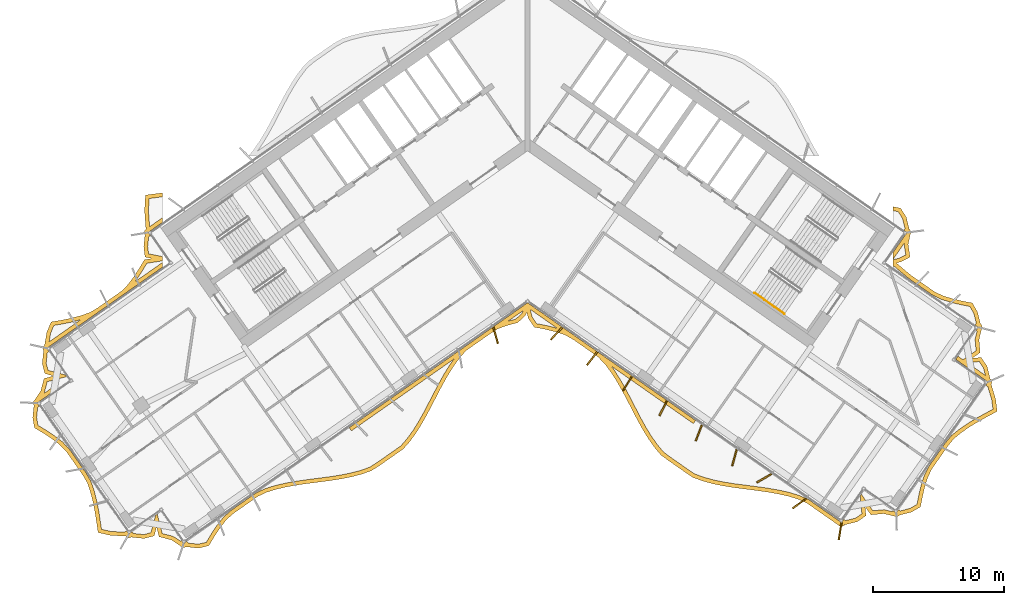
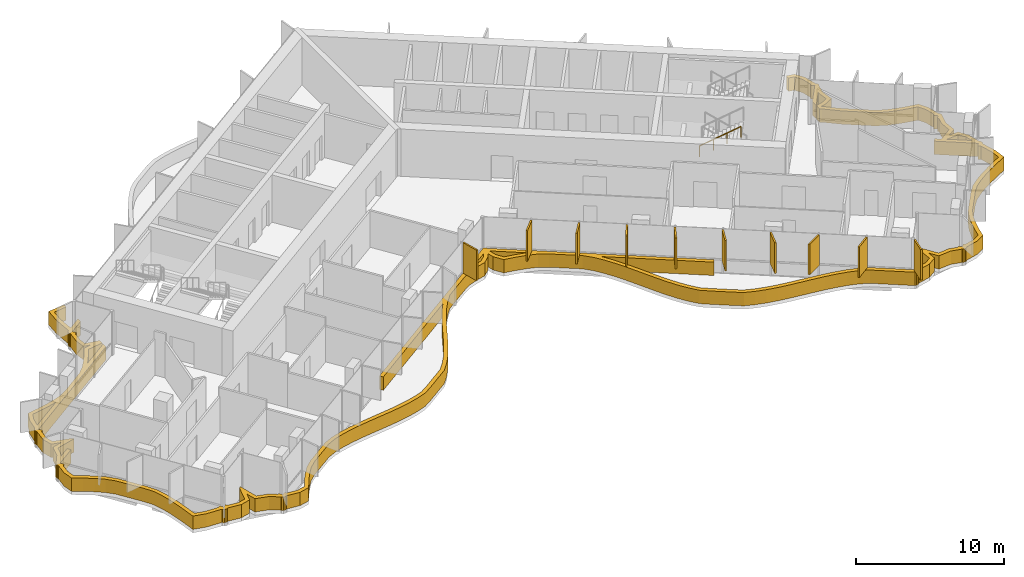
# One storey, part 21 of 23: 11 shading devices, 1 railing.
"""IFC4 building model written with IfcOpenShell, lengths in metres."""

from ifc_helpers import new_model, si_unit, direction, frame, origin, origin_2d, place, context, subcontext, project, spatial, polyline, rectangle, circle, outline, extrude, material, layer, layer_set, type_object, element, save


model = new_model("IFC4")

# Units and contexts
model_context = context("Model", 3, precision=1e-05, world=origin(), true_north=direction((0.0, 1.0)))
body_context = subcontext(model_context, "Body", "Model", "MODEL_VIEW")
ifc_project = project(units=[si_unit("LENGTHUNIT", "METRE"), si_unit("AREAUNIT", "SQUARE_METRE"), si_unit("VOLUMEUNIT", "CUBIC_METRE"), si_unit("PLANEANGLEUNIT", "RADIAN"), si_unit("MASSUNIT", "GRAM", prefix="KILO")], contexts=[model_context])

# Site, building, storey
site_placement = place(None, origin())
site = spatial("IfcSite", under=ifc_project, at=site_placement, CompositionType="ELEMENT")
building_placement = place(site_placement, origin())
building = spatial("IfcBuilding", under=site, at=building_placement, Name="Tel Ilan Convention Tower", CompositionType="ELEMENT")
storey_placement = place(building_placement, frame((0.0, 0.0, 194.39990234375)))
storey = spatial("IfcBuildingStorey", under=building, at=storey_placement, Name="L45", CompositionType="ELEMENT", Elevation=194.39990234375)

# Shading devices
ifc_material_1 = material(Name="Aluminium, bronze anodised", Category="aluminium")
ifc_layer_1 = layer(ifc_material_1, 0.1201171875)
ifc_layer_set_1 = layer_set([ifc_layer_1], Name="FIN BRONZE 1300x120")
shading_device_type_1 = type_object("IfcShadingDeviceType", Name="FIN BRONZE 1300x120", PredefinedType="USERDEFINED", material=ifc_layer_set_1)
for number, where, z_axis, x_axis, name in (
    (1, (-2.439697265625, -15.298583984375, 1.10009765625), (0.0, 0.0, 1.0), (0.268172612768, -0.963370878614, 0.0), "FIN"),
    (2, (2.211181640625, -15.16162109375, 1.10009765625), (0.0, 0.0, 1.0), (-0.686241637865, -0.727373641577, 0.0), "FIN"),
    (3, (4.924560546875, -17.061767578125, 1.10009765625), (0.0, 0.0, 1.0), (-0.612600545196, -0.790392669516, 0.0), "FIN"),
    (4, (7.63818359375, -18.9619140625, 1.10009765625), (0.0, 0.0, 1.0), (-0.533204432798, -0.845986425922, 0.0), "FIN"),
    (5, (10.351806640625, -20.861572265625, 1.10009765625), (0.0, 0.0, 1.0), (-0.448799180206, -0.893632640321, 0.0), "FIN"),
    (6, (13.068115234375, -22.755859375, 1.10009765625), (0.0, 0.0, 1.0), (-0.360177724803, -0.932883704733, 0.0), "FIN"),
    (7, (15.786865234375, -24.644287109375, 1.10009765625), (0.0, 0.0, 1.0), (-0.268172612768, -0.963370878614, 0.0), "FIN"),
    (8, (18.05712890625, -26.21142578125, 1.10009765625), (0.0, 0.0, 1.0), (-0.866025403784, -0.5, 0.0), "FIN"),
    (9, (20.75634765625, -28.1240234375, 1.10009765625), (0.0, 0.0, 1.0), (-0.813552070258, -0.581492071294, 0.0), "FIN"),
    (10, (23.855224609375, -30.25439453125, 1.10009765625), (0.0, 0.0, 1.0), (-0.16409119891, -0.986445172547, 0.0), "FIN"),
):
    element("IfcShadingDevice", number, at=place(storey_placement, frame(where, z_axis=z_axis, x_axis=x_axis)), inside=storey, type_object=shading_device_type_1, Name=name, ObjectType="FIN", PredefinedType="USERDEFINED", context=body_context, shape_type="SweptSolid", body=[
        extrude(rectangle(XDim=1.300048828125, YDim=0.1201171875, at=origin_2d()), origin(), (0.0, 0.0, 1.0), 2.52001953125),
    ])
ifc_material_2 = material(Name="Aluminium, bronze anodised", Category="aluminium")
ifc_layer_2 = layer(ifc_material_2, 0.300048828125)
ifc_layer_set_2 = layer_set([ifc_layer_2], Name="LOUVRE BAND 300x1100")
shading_device_type_2 = type_object("IfcShadingDeviceType", Name="LOUVRE BAND 300x1100", PredefinedType="USERDEFINED", material=ifc_layer_set_2)
shading_device_placement = place(storey_placement, origin())
element("IfcShadingDevice", 11, at=shading_device_placement, inside=storey, type_object=shading_device_type_2, Name="LOUVRE BAND 35.01", ObjectType="LOUVRE", PredefinedType="USERDEFINED", context=body_context, shape_type="SweptSolid", body=[
    extrude(outline(polyline([(-37.76904296875, -21.58447265625), (-37.634765625, -22.36669921875), (-36.95703125, -22.768310546875), (-36.311767578125, -23.192626953125), (-35.712890625, -23.649169921875), (-35.203857421875, -24.1689453125), (-33.968994140625, -25.932373046875), (-33.60498046875, -26.5537109375), (-33.363525390625, -27.2607421875), (-33.17138671875, -28.002197265625), (-33.01904296875, -28.771728515625), (-32.89599609375, -29.5615234375), (-32.782958984375, -30.358642578125), (-31.836181640625, -30.571533203125), (-30.67138671875, -30.632080078125), (-30.642333984375, -30.67529296875), (-30.544921875, -30.740478515625), (-30.43017578125, -30.76318359375), (-30.3154296875, -30.740478515625), (-30.261474609375, -30.704345703125), (-29.26904296875, -30.81396484375), (-28.4951171875, -30.611572265625), (-28.31640625, -29.930908203125), (-28.12109375, -30.677734375), (-27.170166015625, -30.92724609375), (-26.497802734375, -31.3720703125), (-26.4931640625, -31.368896484375), (-26.464111328125, -31.412109375), (-26.366943359375, -31.47705078125), (-26.251953125, -31.5), (-26.13720703125, -31.47705078125), (-26.083251953125, -31.441162109375), (-25.097412109375, -31.54931640625), (-24.322021484375, -31.357421875), (-23.90576171875, -30.652587890625), (-23.4609375, -29.988525390625), (-22.980224609375, -29.375732421875), (-22.4169921875, -28.880859375), (-20.58544921875, -27.598388671875), (-19.900146484375, -27.277587890625), (-19.150634765625, -27.048583984375), (-18.36669921875, -26.86865234375), (-17.556396484375, -26.726806640625), (-16.728515625, -26.609619140625), (-15.0595703125, -26.39404296875), (-14.239013671875, -26.266845703125), (-13.4404296875, -26.10791015625), (-12.672119140625, -25.90576171875), (-11.941650390625, -25.649658203125), (-11.30908203125, -25.253662109375), (-9.4775390625, -23.97119140625), (-8.9716796875, -23.39404296875), (-8.509033203125, -22.75537109375), (-8.0791015625, -22.0703125), (-7.673583984375, -21.35009765625), (-6.508056640625, -19.1162109375), (-6.103271484375, -18.39501953125), (-5.67431640625, -17.708251953125), (-5.213134765625, -17.067626953125), (-4.7119140625, -16.483642578125), (-2.88037109375, -15.201416015625), (-2.25146484375, -14.800048828125), (-1.5224609375, -14.5419921875), (-0.755615234375, -14.337890625), (-0.200439453125, -13.831298828125), (-0.0556640625, -13.532958984375), (0.067626953125, -14.029296875), (0.522216796875, -14.687255859375), (1.33154296875, -14.8388671875), (2.112060546875, -15.03173828125), (2.855712890625, -15.277099609375), (3.513916015625, -15.644775390625), (5.356689453125, -16.935302734375), (5.888671875, -17.48291015625), (6.36083984375, -18.1162109375), (6.798583984375, -18.798583984375), (7.2099609375, -19.5185546875), (7.6044921875, -20.262451171875), (8.38330078125, -21.765380859375), (8.7880859375, -22.494873046875), (9.2158203125, -23.191162109375), (9.675537109375, -23.84228515625), (10.174072265625, -24.437744140625), (10.778564453125, -24.882080078125), (12.007080078125, -25.742431640625), (12.631103515625, -26.15869140625), (13.361083984375, -26.423828125), (14.1298828125, -26.63330078125), (14.930419921875, -26.79736328125), (15.75439453125, -26.92822265625), (17.432861328125, -27.14599609375), (18.26708984375, -27.26220703125), (19.084228515625, -27.402587890625), (19.875244140625, -27.580322265625), (20.632080078125, -27.80712890625), (21.3291015625, -28.119140625), (23.786376953125, -29.83984375), (23.78955078125, -29.8349609375), (23.843505859375, -29.87109375), (23.95849609375, -29.89404296875), (24.0732421875, -29.87109375), (24.170654296875, -29.80615234375), (24.199462890625, -29.7626953125), (25.16943359375, -29.5263671875), (25.82763671875, -29.071533203125), (25.7626953125, -28.370849609375), (26.201416015625, -29.005615234375), (27.1806640625, -28.9150390625), (27.964599609375, -29.10302734375), (27.9677734375, -29.098388671875), (28.021728515625, -29.134521484375), (28.13671875, -29.1572265625), (28.25146484375, -29.134521484375), (28.3486328125, -29.0693359375), (28.377685546875, -29.026123046875), (29.301025390625, -28.79638671875), (29.989990234375, -28.40283203125), (30.135498046875, -27.628662109375), (30.3134765625, -26.877197265625), (30.537841796875, -26.158203125), (30.85205078125, -25.502197265625), (32.0869140625, -23.738525390625), (32.546142578125, -23.18408203125), (33.1279296875, -22.71533203125), (33.759033203125, -22.28125), (34.43017578125, -21.875), (35.13037109375, -21.489013671875), (35.840576171875, -21.1103515625), (35.717041015625, -20.147705078125), (35.375244140625, -19.032470703125), (35.411376953125, -18.978515625), (35.434326171875, -18.863525390625), (35.411376953125, -18.748779296875), (35.346435546875, -18.6513671875), (35.302978515625, -18.62255859375), (35.066650390625, -17.652587890625), (34.61181640625, -16.994384765625), (33.9111328125, -17.059326171875), (34.5458984375, -16.62060546875), (34.455322265625, -15.641357421875), (34.643310546875, -14.857421875), (34.638671875, -14.854248046875), (34.674560546875, -14.80029296875), (34.697509765625, -14.685546875), (34.674560546875, -14.570556640625), (34.609619140625, -14.473388671875), (34.56640625, -14.4443359375), (34.3369140625, -13.5224609375), (33.945068359375, -12.832763671875), (33.172119140625, -12.68701171875), (32.421630859375, -12.509521484375), (31.703369140625, -12.285888671875), (31.047119140625, -11.973388671875), (29.2861328125, -10.740234375), (28.730712890625, -10.28369140625), (28.18212890625, -9.817626953125), (28.123291015625, -9.789794921875), (28.491455078125, -9.6953125), (29.19384765625, -9.332763671875), (29.044921875, -8.373779296875), (29.20458984375, -7.631103515625), (29.199951171875, -7.6279296875), (29.236083984375, -7.57373046875), (29.2587890625, -7.458984375), (29.236083984375, -7.34423828125), (29.1708984375, -7.246826171875), (29.127685546875, -7.218017578125), (28.894287109375, -6.267333984375), (28.465576171875, -5.595458984375), (27.874755859375, -5.485595703125), (27.874755859375, -5.790771484375), (28.28271484375, -5.86669921875), (28.614990234375, -6.387451171875), (28.806640625, -7.1533203125), (28.713134765625, -7.286865234375), (28.958740234375, -7.458984375), (27.874755859375, -9.007080078125), (27.874755859375, -9.530029296875), (28.76171875, -8.263671875), (28.73974609375, -8.364990234375), (28.8642578125, -9.165283203125), (28.3837890625, -9.413330078125), (27.874755859375, -9.5439453125), (27.874755859375, -10.004150390625), (28.01806640625, -10.072021484375), (28.538330078125, -10.513916015625), (29.1044921875, -10.979248046875), (30.895751953125, -12.2333984375), (31.593505859375, -12.56591796875), (32.34228515625, -12.799072265625), (33.10986328125, -12.980712890625), (33.7529296875, -13.101806640625), (34.05615234375, -13.635498046875), (34.244873046875, -14.380126953125), (34.15185546875, -14.513427734375), (34.3974609375, -14.685546875), (34.22607421875, -14.931640625), (34.303955078125, -14.986083984375), (34.15185546875, -15.61962890625), (34.23095703125, -16.473388671875), (33.23095703125, -17.164794921875), (32.848876953125, -16.897216796875), (32.6767578125, -17.142822265625), (35.13427734375, -18.863525390625), (34.962158203125, -19.109375), (35.123046875, -19.221923828125), (35.422607421875, -20.210693359375), (35.5166015625, -20.943115234375), (34.280029296875, -21.615234375), (33.59619140625, -22.029052734375), (32.94873046875, -22.474609375), (32.33447265625, -22.96923828125), (31.84814453125, -23.556640625), (30.59228515625, -25.350341796875), (30.258056640625, -26.04833984375), (30.024169921875, -26.7978515625), (29.842041015625, -27.56640625), (29.720703125, -28.211181640625), (29.187744140625, -28.515625), (28.44189453125, -28.704833984375), (28.30859375, -28.611572265625), (28.13671875, -28.857177734375), (27.890380859375, -28.685791015625), (27.8359375, -28.763671875), (27.202392578125, -28.61181640625), (26.3486328125, -28.690673828125), (25.475341796875, -27.427490234375), (25.385986328125, -27.555419921875), (25.5126953125, -28.924560546875), (25.044189453125, -29.24853515625), (24.264404296875, -29.44189453125), (24.13037109375, -29.34814453125), (23.95849609375, -29.593994140625), (21.477783203125, -27.85693359375), (20.73681640625, -27.525390625), (19.951416015625, -27.2900390625), (19.142578125, -27.108154296875), (18.313232421875, -26.9658203125), (17.472412109375, -26.8486328125), (15.797607421875, -26.63134765625), (14.984130859375, -26.502197265625), (14.199462890625, -26.34130859375), (13.451904296875, -26.137451171875), (12.767578125, -25.88916015625), (12.176513671875, -25.494873046875), (10.953369140625, -24.638427734375), (10.380859375, -24.217529296875), (9.91357421875, -23.6591796875), (9.466552734375, -23.02587890625), (9.047119140625, -22.343505859375), (8.6474609375, -21.623291015625), (7.870361328125, -20.123779296875), (7.472900390625, -19.373779296875), (7.05517578125, -18.64306640625), (6.607666015625, -17.945556640625), (6.398193359375, -17.664306640625), (12.656982421875, -22.046875), (12.828857421875, -21.801025390625), (0.0, -12.818115234375), (-13.611572265625, -22.34912109375), (-13.439697265625, -22.594970703125), (-5.6201171875, -17.11962890625), (-5.923583984375, -17.541015625), (-6.361572265625, -18.241943359375), (-6.771728515625, -18.972900390625), (-7.93701171875, -21.20654296875), (-8.3369140625, -21.916748046875), (-8.7578125, -22.587646484375), (-9.20654296875, -23.206787109375), (-9.67919921875, -23.746337890625), (-11.474853515625, -25.00341796875), (-12.072509765625, -25.377685546875), (-12.760009765625, -25.61865234375), (-13.5078125, -25.8154296875), (-14.291259765625, -25.97119140625), (-15.102294921875, -26.09716796875), (-16.768310546875, -26.312255859375), (-17.603271484375, -26.430419921875), (-18.42626953125, -26.57470703125), (-19.22802734375, -26.7587890625), (-20.008056640625, -26.9970703125), (-20.736083984375, -27.337646484375), (-22.6025390625, -28.64453125), (-23.198974609375, -29.168701171875), (-23.7041015625, -29.81201171875), (-24.159912109375, -30.49267578125), (-24.516357421875, -31.096435546875), (-25.118408203125, -31.24560546875), (-25.91259765625, -31.161865234375), (-26.005859375, -31.028564453125), (-26.251953125, -31.199951171875), (-26.424072265625, -30.954345703125), (-26.502685546875, -31.00927734375), (-27.0458984375, -30.649658203125), (-27.875244140625, -30.43212890625), (-28.263916015625, -28.9462890625), (-28.3916015625, -29.035888671875), (-28.74072265625, -30.36572265625), (-29.2919921875, -30.510009765625), (-30.0908203125, -30.425048828125), (-30.18408203125, -30.291748046875), (-30.43017578125, -30.46337890625), (-30.602294921875, -30.217529296875), (-30.76318359375, -30.330078125), (-31.794677734375, -30.2734375), (-32.51513671875, -30.111328125), (-32.7236328125, -28.719482421875), (-32.878662109375, -27.935302734375), (-33.075927734375, -27.174560546875), (-33.330810546875, -26.427978515625), (-33.71630859375, -25.770263671875), (-34.97216796875, -23.9765625), (-35.513671875, -23.423828125), (-36.13818359375, -22.947509765625), (-36.798095703125, -22.513671875), (-37.362548828125, -22.17919921875), (-37.46630859375, -21.573974609375), (-37.388916015625, -20.80859375), (-37.255859375, -20.71533203125), (-37.427734375, -20.4697265625), (-35.99462890625, -19.466064453125), (-36.166748046875, -19.22021484375), (-36.929931640625, -19.754638671875), (-36.877685546875, -19.675537109375), (-36.659912109375, -18.846435546875), (-35.17431640625, -18.457763671875), (-35.263671875, -18.330078125), (-36.59375, -17.98095703125), (-36.73779296875, -17.4296875), (-36.653076171875, -16.630859375), (-36.51904296875, -16.537109375), (-36.691162109375, -16.29150390625), (-27.874755859375, -10.1181640625), (-27.874755859375, -9.751953125), (-29.961181640625, -11.212890625), (-29.81787109375, -11.02392578125), (-29.38818359375, -10.3681640625), (-29.05712890625, -9.8115234375), (-27.874755859375, -9.6240234375), (-27.874755859375, -9.287353515625), (-28.923828125, -9.080322265625), (-28.992431640625, -8.5439453125), (-28.91943359375, -7.797607421875), (-28.787353515625, -7.705322265625), (-28.958740234375, -7.458984375), (-27.874755859375, -6.699951171875), (-27.874755859375, -6.333740234375), (-28.84423828125, -7.0126953125), (-28.93115234375, -5.783447265625), (-28.876953125, -4.86572265625), (-27.874755859375, -4.735107421875), (-27.874755859375, -4.4326171875), (-29.161865234375, -4.60107421875), (-29.231689453125, -5.78515625), (-29.127685546875, -7.218017578125), (-29.1708984375, -7.246826171875), (-29.236083984375, -7.34423828125), (-29.2587890625, -7.458984375), (-29.236083984375, -7.57373046875), (-29.199951171875, -7.6279296875), (-29.29443359375, -8.548583984375), (-29.19384765625, -9.332763671875), (-28.64111328125, -9.44189453125), (-29.2431640625, -9.537353515625), (-29.642578125, -10.209228515625), (-30.06298828125, -10.850830078125), (-30.515380859375, -11.447021484375), (-31.02685546875, -11.958984375), (-32.777587890625, -13.18505859375), (-33.387451171875, -13.55615234375), (-34.086669921875, -13.7998046875), (-34.8203125, -13.994384765625), (-35.58203125, -14.148681640625), (-36.35986328125, -14.280029296875), (-36.686767578125, -15.055419921875), (-36.85986328125, -16.05029296875), (-36.9033203125, -16.079345703125), (-36.96826171875, -16.1767578125), (-36.9912109375, -16.29150390625), (-36.96826171875, -16.40625), (-36.93212890625, -16.460205078125), (-37.0419921875, -17.45263671875), (-36.839599609375, -18.2265625), (-36.15869140625, -18.4052734375), (-36.905517578125, -18.6005859375), (-37.1552734375, -19.551513671875), (-37.599853515625, -20.223876953125), (-37.5966796875, -20.228515625), (-37.639892578125, -20.257568359375), (-37.705078125, -20.354736328125), (-37.727783203125, -20.4697265625), (-37.705078125, -20.58447265625), (-37.6689453125, -20.638427734375), (-37.76904296875, -21.58447265625)]), holes=[polyline([(34.46484375, -17.309326171875), (34.788818359375, -17.77783203125), (34.93212890625, -18.35595703125), (33.5576171875, -17.393310546875), (34.46484375, -17.309326171875)]), polyline([(0.69873046875, -14.4150390625), (0.345458984375, -13.90380859375), (0.2021484375, -13.325927734375), (2.25439453125, -14.762939453125), (1.395263671875, -14.54541015625), (0.69873046875, -14.4150390625)]), polyline([(-1.47900390625, -14.219970703125), (-0.3330078125, -13.41748046875), (-0.445068359375, -13.6484375), (-0.903564453125, -14.06689453125), (-1.47900390625, -14.219970703125)]), polyline([(-35.52734375, -14.443603515625), (-34.751953125, -14.28662109375), (-34.106689453125, -14.115478515625), (-36.51513671875, -15.802001953125), (-36.3974609375, -15.14111328125), (-36.1474609375, -14.54833984375), (-35.52734375, -14.443603515625)])]), origin(), (0.0, 0.0, 1.0), 1.10009765625),
])

# Railing
ifc_material_3 = material(Name="Stainless Steel Grade 316", Category="steel")
railing_type = type_object("IfcRailingType", Name="Stainless Steel Stair Handrail 900 mm", PredefinedType="HANDRAIL", material=ifc_material_3)
railing_placement = place(storey_placement, frame((17.312744140625, -12.0615234375, 2.12744140625)))
element("IfcRailing", 12, at=railing_placement, inside=storey, type_object=railing_type, Name="L45 S4 stair handrail 2", PredefinedType="HANDRAIL", context=body_context, shape_type="SweptSolid", body=[
    extrude(circle(Radius=0.02392578125, at=origin_2d()), frame((0.0, 0.0, 0.8759765625), z_axis=(0.692123088272, -0.484596665743, 0.534912798717), x_axis=(0.573550118428, 0.819170471667, 0.0)), (0.0, 0.0, 1.0), 3.31396484375),
    extrude(circle(Radius=0.02099609375, at=origin_2d()), origin(), (0.0, 0.0, 1.0), 0.851806640625),
    extrude(circle(Radius=0.02099609375, at=origin_2d()), frame((0.7646484375, -0.535400390625, 0.5908203125)), (0.0, 0.0, 1.0), 0.851806640625),
    extrude(circle(Radius=0.02099609375, at=origin_2d()), frame((1.529052734375, -1.070556640625, 1.181884765625)), (0.0, 0.0, 1.0), 0.851806640625),
    extrude(circle(Radius=0.02099609375, at=origin_2d()), frame((2.293701171875, -1.60595703125, 1.772705078125)), (0.0, 0.0, 1.0), 0.851806640625),
])

save(model, "model.ifc")
